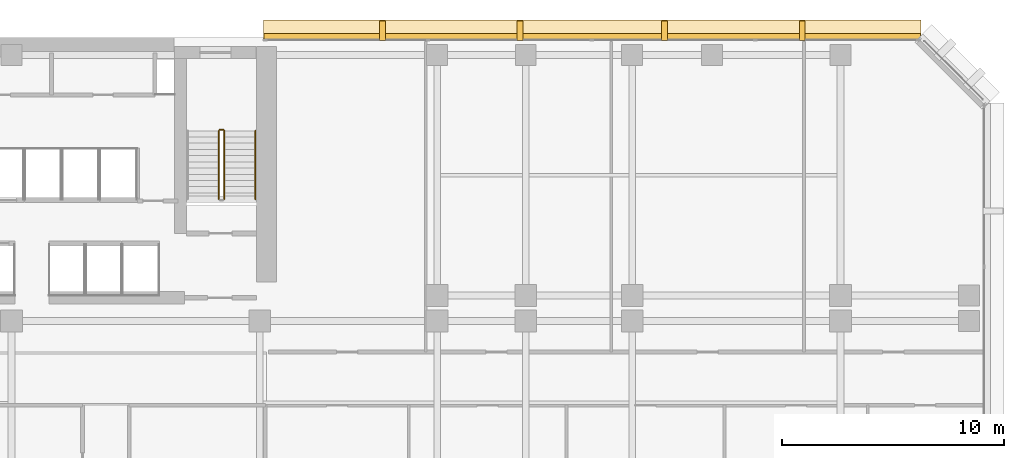
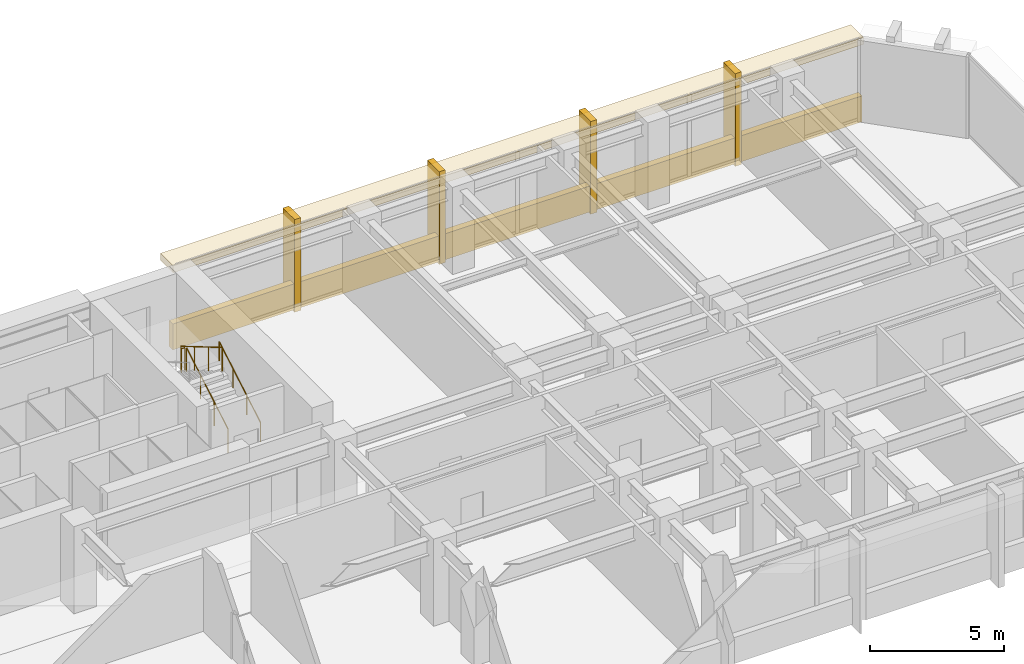
# One storey, part 12 of 13: 6 coverings, 4 railings.
"""IFC4 building model written with IfcOpenShell, lengths in metres."""

from ifc_helpers import new_model, si_unit, direction, frame, origin, origin_2d, place, context, subcontext, project, spatial, rectangle, circle, extrude, material, layer, layer_set, type_object, element, save


model = new_model("IFC4")

# Units and contexts
model_context = context("Model", 3, precision=1e-05, world=origin(), true_north=direction((0.0, 1.0)))
body_context = subcontext(model_context, "Body", "Model", "MODEL_VIEW")
ifc_project = project(units=[si_unit("LENGTHUNIT", "METRE"), si_unit("AREAUNIT", "SQUARE_METRE"), si_unit("VOLUMEUNIT", "CUBIC_METRE"), si_unit("PLANEANGLEUNIT", "RADIAN"), si_unit("MASSUNIT", "GRAM", prefix="KILO")], contexts=[model_context])

# Site, building, storey
site_placement = place(None, origin())
site = spatial("IfcSite", under=ifc_project, at=site_placement, CompositionType="ELEMENT")
building_placement = place(site_placement, origin())
building = spatial("IfcBuilding", under=site, at=building_placement, Name="Kefirva Bronze Tower", CompositionType="ELEMENT")
storey_placement = place(building_placement, frame((0.0, 0.0, 62.0400390625)))
storey = spatial("IfcBuildingStorey", under=building, at=storey_placement, Name="L14", CompositionType="ELEMENT", Elevation=62.0400390625)

# Covering
ifc_material_1 = material(Name="Bronze anodised aluminium", Category="aluminium")
ifc_layer_1 = layer(ifc_material_1, 0.02001953125, Name="Bronze anodised aluminium")
ifc_layer_set_1 = layer_set([ifc_layer_1], Name="Bronze anodised aluminium")
covering_type_1 = type_object("IfcCoveringType", Name="Anodised Bronze Spandrel Cladding 20mm", PredefinedType="CLADDING", material=ifc_layer_set_1)
covering_1_placement = place(storey_placement, frame((38.202392578125, 46.0400390625, -0.16015625), z_axis=(0.0, 0.0, 1.0), x_axis=(-1.0, 0.0, 0.0)))
element("IfcCovering", 1, at=covering_1_placement, inside=storey, type_object=covering_type_1, Name="L14 Streamline Horizontal Spandrel Band 8", PredefinedType="CLADDING", context=body_context, shape_type="SweptSolid", body=[
    extrude(rectangle(XDim=29.635009765625, YDim=0.280029296875, at=origin_2d()), origin(), (0.0, 0.0, 1.0), 1.179931640625),
])

# Railings
ifc_material_2 = material(Name="Stainless steel 316", Category="steel")
railing_type_1 = type_object("IfcRailingType", Name="Interior Stair Guardrail 1100mm", PredefinedType="GUARDRAIL", material=ifc_material_2)
railing_1_placement = place(storey_placement, frame((21.60009765625, 38.699951171875, 0.1650390625)))
element("IfcRailing", 2, at=railing_1_placement, inside=storey, type_object=railing_type_1, Name="L14 ST-2 stair guard 1", PredefinedType="GUARDRAIL", context=body_context, shape_type="SweptSolid", body=[
    extrude(circle(Radius=0.02392578125, at=origin_2d()), frame((0.0, 0.0, 1.076171875), z_axis=(0.0, 0.861551262678, 0.507670583921), x_axis=(-1.0, 0.0, 0.0)), (0.0, 0.0, 1.0), 3.574951171875),
    extrude(circle(Radius=0.02099609375, at=origin_2d()), origin(), (0.0, 0.0, 1.0), 1.052001953125),
    extrude(circle(Radius=0.02099609375, at=origin_2d()), frame((0.0, 1.026611328125, 0.60498046875)), (0.0, 0.0, 1.0), 1.052001953125),
    extrude(circle(Radius=0.02099609375, at=origin_2d()), frame((0.0, 2.053466796875, 1.2099609375)), (0.0, 0.0, 1.0), 1.052001953125),
    extrude(circle(Radius=0.02099609375, at=origin_2d()), frame((0.0, 3.080078125, 1.81494140625)), (0.0, 0.0, 1.0), 1.052001953125),
])
railing_2_placement = place(storey_placement, frame((21.550048828125, 41.830078125, 1.97998046875)))
element("IfcRailing", 3, at=railing_2_placement, inside=storey, type_object=railing_type_1, Name="L14 ST-2 stair guard 2", PredefinedType="GUARDRAIL", context=body_context, shape_type="SweptSolid", body=[
    extrude(circle(Radius=0.02392578125, at=origin_2d()), frame((0.0, 0.0, 1.076171875), z_axis=(-1.0, 0.0, 0.0), x_axis=(0.0, -1.0, 0.0)), (0.0, 0.0, 1.0), 0.150146484375),
    extrude(circle(Radius=0.02099609375, at=origin_2d()), origin(), (0.0, 0.0, 1.0), 1.052001953125),
    extrude(circle(Radius=0.02099609375, at=origin_2d()), frame((-0.150146484375, 0.0, 0.0)), (0.0, 0.0, 1.0), 1.052001953125),
])
railing_3_placement = place(storey_placement, frame((21.35009765625, 41.780029296875, 2.14501953125)))
element("IfcRailing", 4, at=railing_3_placement, inside=storey, type_object=railing_type_1, Name="L14 ST-2 stair guard 3", PredefinedType="GUARDRAIL", context=body_context, shape_type="SweptSolid", body=[
    extrude(circle(Radius=0.02392578125, at=origin_2d()), frame((0.0, 0.0, 1.076171875), z_axis=(0.0, -0.861551262678, 0.507670583921), x_axis=(1.0, 0.0, 0.0)), (0.0, 0.0, 1.0), 3.574951171875),
    extrude(circle(Radius=0.02099609375, at=origin_2d()), origin(), (0.0, 0.0, 1.0), 1.052001953125),
    extrude(circle(Radius=0.02099609375, at=origin_2d()), frame((0.0, -1.026611328125, 0.60498046875)), (0.0, 0.0, 1.0), 1.052001953125),
    extrude(circle(Radius=0.02099609375, at=origin_2d()), frame((0.0, -2.053466796875, 1.2099609375)), (0.0, 0.0, 1.0), 1.052001953125),
    extrude(circle(Radius=0.02099609375, at=origin_2d()), frame((0.0, -3.080078125, 1.81494140625)), (0.0, 0.0, 1.0), 1.052001953125),
])
railing_type_2 = type_object("IfcRailingType", Name="Stair Pitch Handrail 900mm", PredefinedType="HANDRAIL", material=ifc_material_2)
railing_4_placement = place(storey_placement, frame((23.0, 38.699951171875, 0.1650390625)))
element("IfcRailing", 5, at=railing_4_placement, inside=storey, type_object=railing_type_2, Name="L14 ST-2 stair handrail 1", PredefinedType="HANDRAIL", context=body_context, shape_type="SweptSolid", body=[
    extrude(circle(Radius=0.02392578125, at=origin_2d()), frame((0.0, 0.0, 0.8759765625), z_axis=(0.0, 0.861551262678, 0.507670583921), x_axis=(-1.0, 0.0, 0.0)), (0.0, 0.0, 1.0), 3.574951171875),
    extrude(circle(Radius=0.02099609375, at=origin_2d()), origin(), (0.0, 0.0, 1.0), 0.851806640625),
    extrude(circle(Radius=0.02099609375, at=origin_2d()), frame((0.0, 1.026611328125, 0.60498046875)), (0.0, 0.0, 1.0), 0.851806640625),
    extrude(circle(Radius=0.02099609375, at=origin_2d()), frame((0.0, 2.053466796875, 1.2099609375)), (0.0, 0.0, 1.0), 0.851806640625),
    extrude(circle(Radius=0.02099609375, at=origin_2d()), frame((0.0, 3.080078125, 1.81494140625)), (0.0, 0.0, 1.0), 0.851806640625),
])

# Coverings
ifc_layer_2 = layer(ifc_material_1, 0.179931640625, Name="Bronze anodised aluminium")
ifc_layer_set_2 = layer_set([ifc_layer_2], Name="Bronze anodised aluminium")
covering_type_2 = type_object("IfcCoveringType", Name="Streamline Bronze Sunshade Eyebrow Cladding 180mm", PredefinedType="CLADDING", material=ifc_layer_set_2)
covering_2_placement = place(storey_placement, frame((38.202392578125, 46.31005859375, 3.39013671875), z_axis=(0.0, 0.0, 1.0), x_axis=(-1.0, 0.0, 0.0)))
element("IfcCovering", 6, at=covering_2_placement, inside=storey, type_object=covering_type_2, Name="L14 Streamline Bronze Sunshade Eyebrow 8", PredefinedType="CLADDING", context=body_context, shape_type="SweptSolid", body=[
    extrude(rectangle(XDim=29.675048828125, YDim=0.93994140625, at=origin_2d()), origin(), (0.0, 0.0, 1.0), 0.320068359375),
])
ifc_layer_3 = layer(ifc_material_1, 0.260009765625, Name="Bronze anodised aluminium")
ifc_layer_set_3 = layer_set([ifc_layer_3], Name="Bronze anodised aluminium")
covering_type_3 = type_object("IfcCoveringType", Name="Unbroken Bronze Buttress Fin Cladding 260mm", PredefinedType="CLADDING", material=ifc_layer_set_3)
for number, where, z_axis, x_axis, name in (
    (7, (47.6728515625, 46.300048828125, -0.25), (0.0, 0.0, 1.0), (-1.0, 0.0, 0.0), "L14 Unbroken Vertical Bronze Rib Fin 19"),
    (8, (41.4580078125, 46.300048828125, -0.25), (0.0, 0.0, 1.0), (-1.0, 0.0, 0.0), "L14 Unbroken Vertical Bronze Rib Fin 20"),
    (9, (34.947021484375, 46.300048828125, -0.25), (0.0, 0.0, 1.0), (-1.0, 0.0, 0.0), "L14 Unbroken Vertical Bronze Rib Fin 21"),
    (10, (28.732177734375, 46.300048828125, -0.25), (0.0, 0.0, 1.0), (-1.0, 0.0, 0.0), "L14 Unbroken Vertical Bronze Rib Fin 22"),
):
    element("IfcCovering", number, at=place(storey_placement, frame(where, z_axis=z_axis, x_axis=x_axis)), inside=storey, type_object=covering_type_3, Name=name, PredefinedType="CLADDING", context=body_context, shape_type="SweptSolid", body=[
        extrude(rectangle(XDim=0.260009765625, YDim=0.8798828125, at=origin_2d()), origin(), (0.0, 0.0, 1.0), 4.2099609375),
    ])

save(model, "model.ifc")
